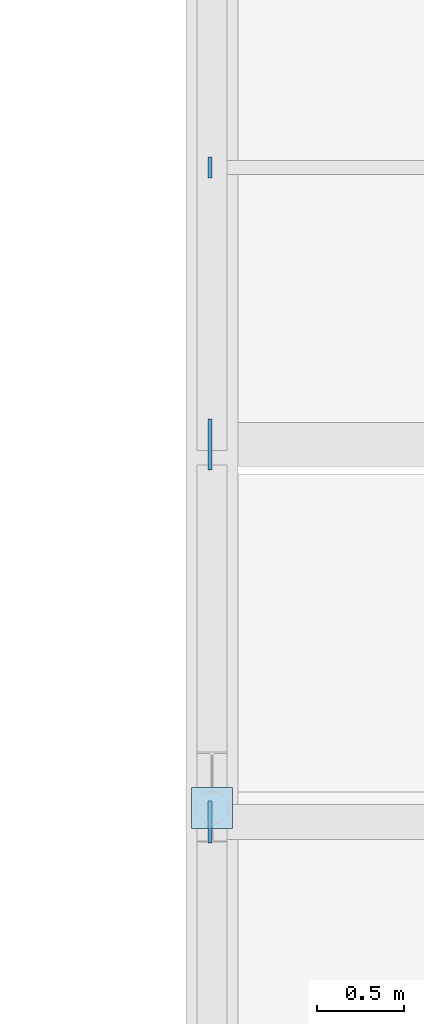
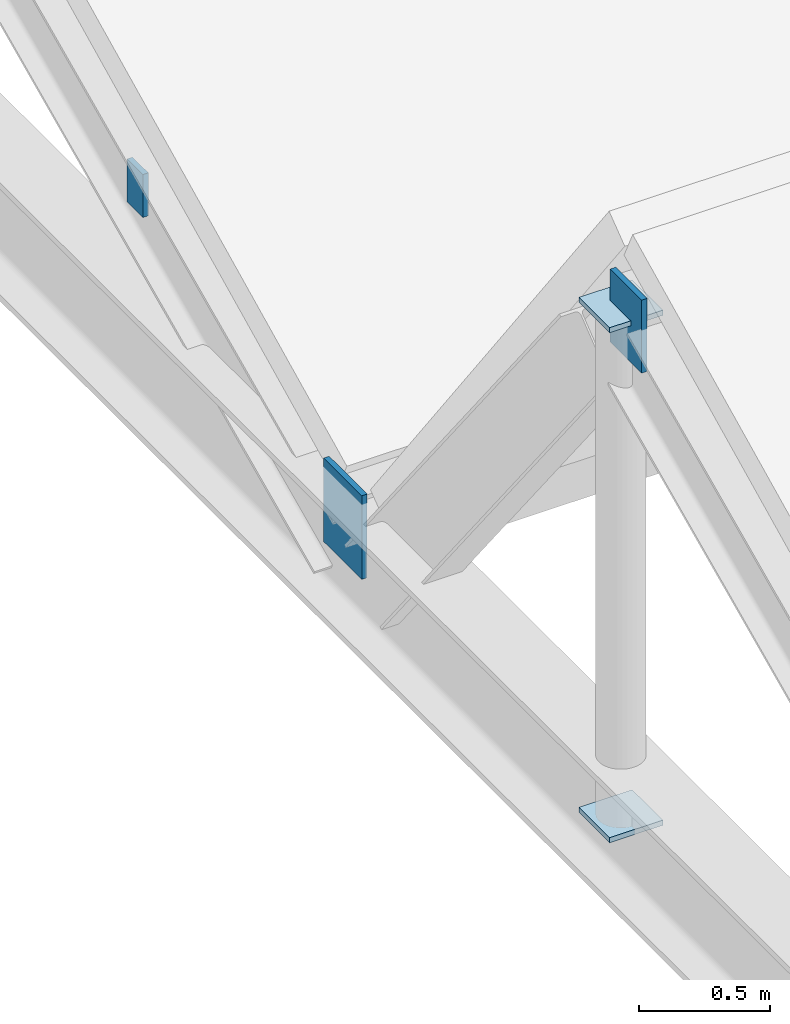
# One storey, part 108 of 138: 5 plates.
"""IFC4 building model written with IfcOpenShell, lengths in metres."""

import ifcopenshell
import ifcopenshell.guid

model = None  # the IFC model being written
_history = None  # IfcOwnerHistory: only IFC2X3 demands one
_inside = {}  # id of a spatial element -> (the spatial element, [elements in it])
_under = {}  # id of a project, library or spatial element -> (it, [spatial elements below it])
_declared = {}  # id of a project -> (the project, [libraries it declares])
_typed = {}  # id of a type object -> (the type object, [elements of that type])
_made_of = {}  # id of a material, layer set ... -> (it, [elements and type objects made of it])


def new_model(schema):
    """Start an empty IFC model of exactly this schema.

    Asked for "IFC4X3", IfcOpenShell would pick the latest addendum, in which some entities
    have other attributes; the version numbers below select the first issue.
    IFC2X3 requires an IfcOwnerHistory on every rooted entity: one is made here for all.
    """
    global model, _history
    if schema == "IFC4X3":
        model = ifcopenshell.file(schema_version=(4, 3, 0, 0))
    else:
        model = ifcopenshell.file(schema=schema)
    _inside.clear()
    _under.clear()
    _declared.clear()
    _typed.clear()
    _made_of.clear()
    _history = None
    if model.schema == "IFC2X3":
        org = make("IfcOrganization", Name="unknown")
        user = make(
            "IfcPersonAndOrganization",
            ThePerson=make("IfcPerson", FamilyName="unknown"),
            TheOrganization=org,
        )
        app = make(
            "IfcApplication",
            ApplicationDeveloper=org,
            Version="unknown",
            ApplicationFullName="unknown",
            ApplicationIdentifier="unknown",
        )
        _history = make(
            "IfcOwnerHistory",
            OwningUser=user,
            OwningApplication=app,
            ChangeAction="ADDED",
            CreationDate=0,
        )
    return model


def make(cls, **values):
    """One entity of the class cls with the attributes given. An attribute that is None is left unset."""
    return model.create_entity(
        cls, **{name: value for name, value in values.items() if value is not None}
    )


def rooted(cls, **values):
    """An entity with a GlobalId (a new one), such as an element, a storey or a relation."""
    return make(cls, GlobalId=ifcopenshell.guid.new(), OwnerHistory=_history, **values)


def si_unit(unit_type, name, prefix=None):
    """IfcSIUnit, for example si_unit("LENGTHUNIT", "METRE", prefix="MILLI")."""
    return make("IfcSIUnit", UnitType=unit_type, Prefix=prefix, Name=name)


def assignment(units):
    """IfcUnitAssignment: the units of a project."""
    return None if units is None else make("IfcUnitAssignment", Units=units)


def point(xyz):
    """IfcCartesianPoint."""
    return None if xyz is None else make("IfcCartesianPoint", Coordinates=xyz)


def direction(xyz):
    """IfcDirection."""
    return None if xyz is None else make("IfcDirection", DirectionRatios=xyz)


def frame(location, z_axis=None, x_axis=None):
    """IfcAxis2Placement3D, a coordinate frame: its origin and axes. An axis left out is left unset."""
    return make(
        "IfcAxis2Placement3D",
        Location=point(location),
        Axis=direction(z_axis),
        RefDirection=direction(x_axis),
    )


def frame_2d(location, x_axis=None):
    """IfcAxis2Placement2D, a coordinate frame in the plane: its origin and x axis."""
    return make(
        "IfcAxis2Placement2D", Location=point(location), RefDirection=direction(x_axis)
    )


def origin():
    """The frame at (0, 0, 0) with its axes left unset."""
    return frame((0.0, 0.0, 0.0))


def origin_2d():
    """The frame at (0, 0) in the plane with its x axis left unset."""
    return frame_2d((0.0, 0.0))


def place(relative_to, where):
    """IfcLocalPlacement: puts the frame where relative to a parent placement (None: the world)."""
    return make(
        "IfcLocalPlacement", PlacementRelTo=relative_to, RelativePlacement=where
    )


def context(
    kind, dimensions, precision=None, world=None, true_north=None, identifier=None
):
    """IfcGeometricRepresentationContext, for example the 3D "Model" context."""
    return make(
        "IfcGeometricRepresentationContext",
        ContextIdentifier=identifier,
        ContextType=kind,
        CoordinateSpaceDimension=dimensions,
        Precision=precision,
        WorldCoordinateSystem=world,
        TrueNorth=true_north,
    )


def subcontext(parent, identifier, kind, view, scale=None):
    """IfcGeometricRepresentationSubContext, for example "Body" below "Model"."""
    return make(
        "IfcGeometricRepresentationSubContext",
        ContextIdentifier=identifier,
        ContextType=kind,
        ParentContext=parent,
        TargetScale=scale,
        TargetView=view,
    )


def project(units=None, contexts=None):
    """IfcProject with its units and contexts."""
    return rooted(
        "IfcProject",
        Name="project",
        RepresentationContexts=contexts,
        UnitsInContext=assignment(units),
    )


def spatial(cls, under=None, at=None, **own):
    """A site, building, storey or space (cls), placed at a placement, below another one or the project."""
    s = rooted(cls, ObjectPlacement=at, **own)
    if under is not None:
        _under.setdefault(under.id(), (under, []))[1].append(s)
    return s


def profile(cls, at=None, kind="AREA", **sizes):
    """A parametric profile (cls). Its sizes go by their IFC names, for example OverallWidth=200.0."""
    return make(cls, ProfileType=kind, Position=at, **sizes)


def rectangle(**sizes):
    """IfcRectangleProfileDef."""
    return profile("IfcRectangleProfileDef", **sizes)


def extrude(swept, where, along, depth):
    """IfcExtrudedAreaSolid: the profile swept, set in the frame where, extruded along a direction by depth."""
    return make(
        "IfcExtrudedAreaSolid",
        SweptArea=swept,
        Position=where,
        ExtrudedDirection=direction(along),
        Depth=depth,
    )


def shape(context_of_items, identifier, shape_type, items):
    """IfcShapeRepresentation: the items that make up one representation, for example the "Body"."""
    return make(
        "IfcShapeRepresentation",
        ContextOfItems=context_of_items,
        RepresentationIdentifier=identifier,
        RepresentationType=shape_type,
        Items=items,
    )


def material(Name=None, Category=None):
    """IfcMaterial."""
    return make("IfcMaterial", Name=Name, Category=Category)


def material_profile(
    of_material, cross_section, Name=None, Category=None, Priority=None
):
    """IfcMaterialProfile: a cross section and its material."""
    return make(
        "IfcMaterialProfile",
        Name=Name,
        Material=of_material,
        Profile=cross_section,
        Priority=Priority,
        Category=Category,
    )


def profile_set(profiles, Name=None, composite=None):
    """IfcMaterialProfileSet."""
    return make(
        "IfcMaterialProfileSet",
        Name=Name,
        MaterialProfiles=profiles,
        CompositeProfile=composite,
    )


def made_of(thing, what):
    """Note that an element or type object is made of a material, layer set ...; save() writes the relation."""
    if what is not None:
        _made_of.setdefault(what.id(), (what, []))[1].append(thing)
    return thing


def type_object(cls, material=None, **own):
    """A type object (cls), such as IfcWallType, which elements share."""
    return made_of(rooted(cls, **own), material)


def element(
    cls,
    number,
    at=None,
    inside=None,
    cuts=None,
    type_object=None,
    material=None,
    context=None,
    identifier="Body",
    shape_type=None,
    held_by="IfcProductDefinitionShape",
    body=None,
    shapes=None,
    **own,
):
    """One element of the class cls, such as IfcWall. Its Tag is "e" and its number.

    at: its placement. inside: the storey or other place that contains it. cuts: it is an
    opening in that element (IfcRelVoidsElement). A single representation is given by context,
    identifier, shape_type and body (its items); several are given by shapes. held_by: the class
    of the entity that holds the representations. save() writes the other relations.
    """
    e = rooted(cls, Tag="e%d" % number, ObjectPlacement=at, **own)
    if body is not None:
        shapes = [shape(context, identifier, shape_type, body)]
    if shapes is not None:
        e.Representation = make(held_by, Representations=shapes)
    if inside is not None:
        _inside.setdefault(inside.id(), (inside, []))[1].append(e)
    if cuts is not None:
        rooted(
            "IfcRelVoidsElement", RelatingBuildingElement=cuts, RelatedOpeningElement=e
        )
    if type_object is not None:
        _typed.setdefault(type_object.id(), (type_object, []))[1].append(e)
    return made_of(e, material)


def aggregate(whole, parts):
    """IfcRelAggregates: a whole, such as a stair, and the parts it consists of."""
    return rooted("IfcRelAggregates", RelatingObject=whole, RelatedObjects=parts)


def save(model, path):
    """Write the relations noted so far, then the file.

    IfcRelAggregates (storeys below a building ...), IfcRelContainedInSpatialStructure (elements
    in a storey), IfcRelDefinesByType, IfcRelAssociatesMaterial and IfcRelDeclares: one each for
    every whole, place, type object, material and project.
    """
    for whole, parts in _under.values():
        aggregate(whole, parts)
    for where, things in _inside.values():
        rooted(
            "IfcRelContainedInSpatialStructure",
            RelatedElements=things,
            RelatingStructure=where,
        )
    for kind, things in _typed.values():
        rooted("IfcRelDefinesByType", RelatedObjects=things, RelatingType=kind)
    for what, things in _made_of.values():
        rooted("IfcRelAssociatesMaterial", RelatedObjects=things, RelatingMaterial=what)
    for by, libraries in _declared.values():
        rooted("IfcRelDeclares", RelatingContext=by, RelatedDefinitions=libraries)
    model.write(path)


model = new_model("IFC4")

# Units and contexts
model_context = context("Model", 3, precision=1e-05, world=origin(), true_north=direction((0.0, 1.0)))
body_context = subcontext(model_context, "Body", "Model", "MODEL_VIEW")
ifc_project = project(units=[si_unit("LENGTHUNIT", "METRE"), si_unit("AREAUNIT", "SQUARE_METRE"), si_unit("VOLUMEUNIT", "CUBIC_METRE"), si_unit("PLANEANGLEUNIT", "RADIAN"), si_unit("MASSUNIT", "GRAM", prefix="KILO")], contexts=[model_context])

# Site, building, storey
site_placement = place(None, origin())
site = spatial("IfcSite", under=ifc_project, at=site_placement, CompositionType="ELEMENT")
building_placement = place(site_placement, origin())
building = spatial("IfcBuilding", under=site, at=building_placement, Name="Vinh Khe Railworks Police Headquarters", CompositionType="ELEMENT")
storey_placement = place(building_placement, frame((0.0, 0.0, 9.0)))
storey = spatial("IfcBuildingStorey", under=building, at=storey_placement, Name="L02", CompositionType="ELEMENT", Elevation=9.0)

# Plates
ifc_material = material(Name="Steel S355JR", Category="steel")
ifc_material_profile_1 = material_profile(ifc_material, rectangle(XDim=0.1201171875, YDim=0.199951171875, at=origin_2d()), Name="PL 120x200")
ifc_profile_set_1 = profile_set([ifc_material_profile_1], Name="Steel S355JR")
plate_type_1 = type_object("IfcPlateType", Name="Steel End-Cap Plate 120x200x24", PredefinedType="SHEET", material=ifc_profile_set_1)
plate_1_placement = place(storey_placement, frame((26.39990234375, 160.96435546875, 0.89794921875), z_axis=(-1.0, 0.0, 0.0), x_axis=(0.0, -1.0, 0.0)))
element("IfcPlate", 1, at=plate_1_placement, inside=storey, type_object=plate_type_1, Name="End-Cap Gusset Plate PLT-EP-0273", PredefinedType="SHEET", context=body_context, shape_type="SweptSolid", body=[
    extrude(rectangle(XDim=0.1201171875, YDim=0.199951171875, at=origin_2d()), origin(), (0.0, 0.0, 1.0), 0.02392578125),
])
ifc_material_profile_2 = material_profile(ifc_material, rectangle(XDim=0.23388671875, YDim=0.23388671875, at=origin_2d()), Name="PL 234x234")
ifc_profile_set_2 = profile_set([ifc_material_profile_2], Name="Steel S355JR")
plate_type_2 = type_object("IfcPlateType", Name="Steel End-Cap Plate 234x234x24", PredefinedType="SHEET", material=ifc_profile_set_2)
for number, where, z_axis, x_axis, name in (
    (2, (26.39990234375, 157.300048828125, 0.199951171875), (0.0, 0.0, -1.0), (1.0, 0.0, 0.0), "End-Cap Gusset Plate PLT-EP-0270"),
    (3, (26.39990234375, 157.300048828125, 2.550048828125), (0.0, 0.0, 1.0), (1.0, 0.0, 0.0), "End-Cap Gusset Plate PLT-EP-0271"),
):
    element("IfcPlate", number, at=place(storey_placement, frame(where, z_axis=z_axis, x_axis=x_axis)), inside=storey, type_object=plate_type_2, Name=name, PredefinedType="SHEET", context=body_context, shape_type="SweptSolid", body=[
        extrude(rectangle(XDim=0.23388671875, YDim=0.23388671875, at=origin_2d()), origin(), (0.0, 0.0, 1.0), 0.02392578125),
    ])
ifc_material_profile_3 = material_profile(ifc_material, rectangle(XDim=0.239990234375, YDim=0.340087890625, at=origin_2d()), Name="PL 240x340")
ifc_profile_set_3 = profile_set([ifc_material_profile_3], Name="Steel S355JR")
plate_type_3 = type_object("IfcPlateType", Name="Steel End-Cap Plate 240x340x24", PredefinedType="SHEET", material=ifc_profile_set_3)
plate_2_placement = place(storey_placement, frame((26.39990234375, 157.219970703125, 2.550048828125), z_axis=(-1.0, 0.0, 0.0), x_axis=(0.0, -1.0, 0.0)))
element("IfcPlate", 4, at=plate_2_placement, inside=storey, type_object=plate_type_3, Name="End-Cap Gusset Plate PLT-EP-0269", PredefinedType="SHEET", context=body_context, shape_type="SweptSolid", body=[
    extrude(rectangle(XDim=0.239990234375, YDim=0.340087890625, at=origin_2d()), origin(), (0.0, 0.0, 1.0), 0.02392578125),
])
ifc_material_profile_4 = material_profile(ifc_material, rectangle(XDim=0.2900390625, YDim=0.389892578125, at=origin_2d()), Name="PL 290x390")
ifc_profile_set_4 = profile_set([ifc_material_profile_4], Name="Steel S355JR")
plate_type_4 = type_object("IfcPlateType", Name="Steel End-Cap Plate 290x390x24", PredefinedType="SHEET", material=ifc_profile_set_4)
plate_3_placement = place(storey_placement, frame((26.39990234375, 159.3798828125, 0.320068359375), z_axis=(-1.0, 0.0, 0.0), x_axis=(0.0, -1.0, 0.0)))
element("IfcPlate", 5, at=plate_3_placement, inside=storey, type_object=plate_type_4, Name="End-Cap Gusset Plate PLT-EP-0272", PredefinedType="SHEET", context=body_context, shape_type="SweptSolid", body=[
    extrude(rectangle(XDim=0.2900390625, YDim=0.389892578125, at=origin_2d()), origin(), (0.0, 0.0, 1.0), 0.02392578125),
])

save(model, "model.ifc")
